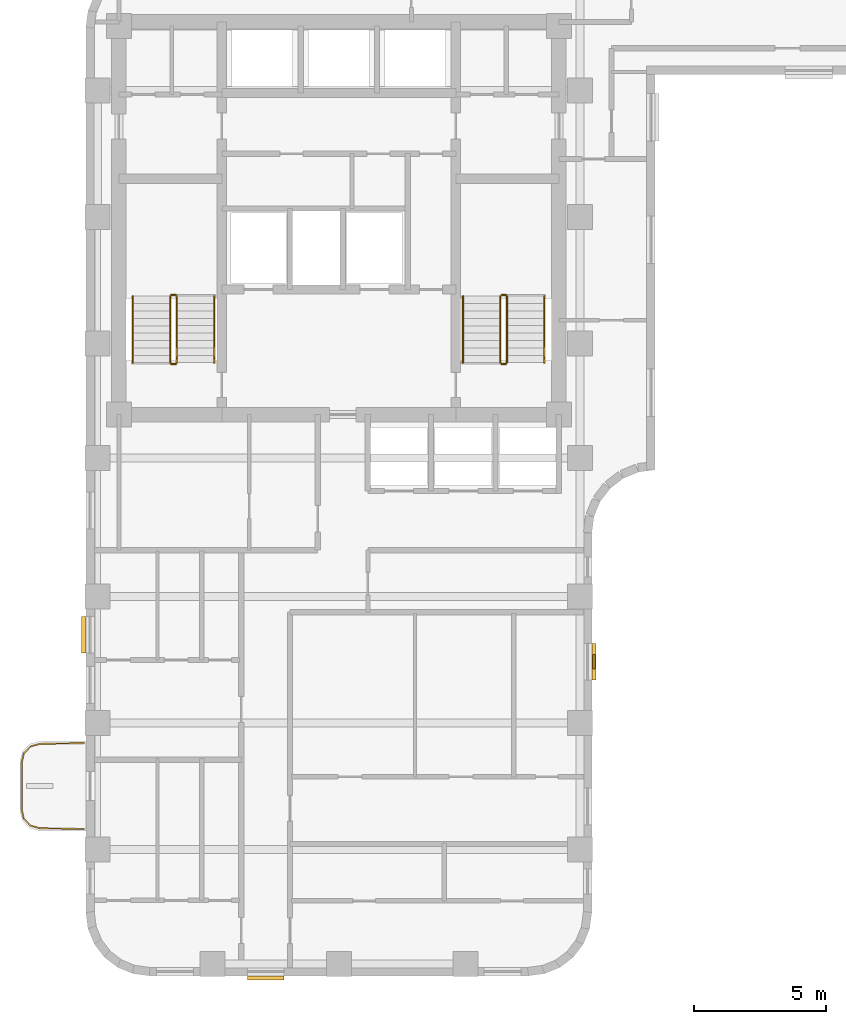
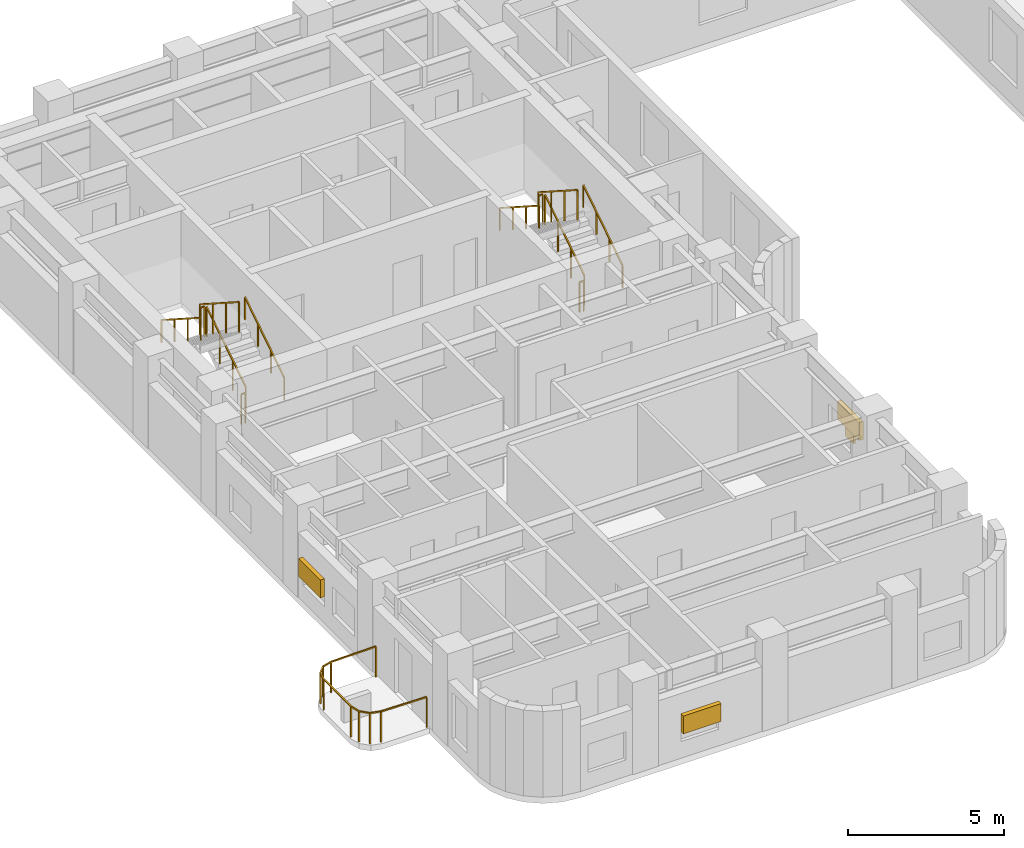
# One storey, part 8 of 10: 13 railings, 4 shading devices.
"""IFC4 building model written with IfcOpenShell, lengths in metres."""

import ifcopenshell
import ifcopenshell.guid

model = None  # the IFC model being written
_history = None  # IfcOwnerHistory: only IFC2X3 demands one
_inside = {}  # id of a spatial element -> (the spatial element, [elements in it])
_under = {}  # id of a project, library or spatial element -> (it, [spatial elements below it])
_declared = {}  # id of a project -> (the project, [libraries it declares])
_typed = {}  # id of a type object -> (the type object, [elements of that type])
_made_of = {}  # id of a material, layer set ... -> (it, [elements and type objects made of it])


def new_model(schema):
    """Start an empty IFC model of exactly this schema.

    Asked for "IFC4X3", IfcOpenShell would pick the latest addendum, in which some entities
    have other attributes; the version numbers below select the first issue.
    IFC2X3 requires an IfcOwnerHistory on every rooted entity: one is made here for all.
    """
    global model, _history
    if schema == "IFC4X3":
        model = ifcopenshell.file(schema_version=(4, 3, 0, 0))
    else:
        model = ifcopenshell.file(schema=schema)
    _inside.clear()
    _under.clear()
    _declared.clear()
    _typed.clear()
    _made_of.clear()
    _history = None
    if model.schema == "IFC2X3":
        org = make("IfcOrganization", Name="unknown")
        user = make(
            "IfcPersonAndOrganization",
            ThePerson=make("IfcPerson", FamilyName="unknown"),
            TheOrganization=org,
        )
        app = make(
            "IfcApplication",
            ApplicationDeveloper=org,
            Version="unknown",
            ApplicationFullName="unknown",
            ApplicationIdentifier="unknown",
        )
        _history = make(
            "IfcOwnerHistory",
            OwningUser=user,
            OwningApplication=app,
            ChangeAction="ADDED",
            CreationDate=0,
        )
    return model


def make(cls, **values):
    """One entity of the class cls with the attributes given. An attribute that is None is left unset."""
    return model.create_entity(
        cls, **{name: value for name, value in values.items() if value is not None}
    )


def rooted(cls, **values):
    """An entity with a GlobalId (a new one), such as an element, a storey or a relation."""
    return make(cls, GlobalId=ifcopenshell.guid.new(), OwnerHistory=_history, **values)


def si_unit(unit_type, name, prefix=None):
    """IfcSIUnit, for example si_unit("LENGTHUNIT", "METRE", prefix="MILLI")."""
    return make("IfcSIUnit", UnitType=unit_type, Prefix=prefix, Name=name)


def assignment(units):
    """IfcUnitAssignment: the units of a project."""
    return None if units is None else make("IfcUnitAssignment", Units=units)


def point(xyz):
    """IfcCartesianPoint."""
    return None if xyz is None else make("IfcCartesianPoint", Coordinates=xyz)


def direction(xyz):
    """IfcDirection."""
    return None if xyz is None else make("IfcDirection", DirectionRatios=xyz)


def frame(location, z_axis=None, x_axis=None):
    """IfcAxis2Placement3D, a coordinate frame: its origin and axes. An axis left out is left unset."""
    return make(
        "IfcAxis2Placement3D",
        Location=point(location),
        Axis=direction(z_axis),
        RefDirection=direction(x_axis),
    )


def frame_2d(location, x_axis=None):
    """IfcAxis2Placement2D, a coordinate frame in the plane: its origin and x axis."""
    return make(
        "IfcAxis2Placement2D", Location=point(location), RefDirection=direction(x_axis)
    )


def origin():
    """The frame at (0, 0, 0) with its axes left unset."""
    return frame((0.0, 0.0, 0.0))


def origin_2d():
    """The frame at (0, 0) in the plane with its x axis left unset."""
    return frame_2d((0.0, 0.0))


def place(relative_to, where):
    """IfcLocalPlacement: puts the frame where relative to a parent placement (None: the world)."""
    return make(
        "IfcLocalPlacement", PlacementRelTo=relative_to, RelativePlacement=where
    )


def context(
    kind, dimensions, precision=None, world=None, true_north=None, identifier=None
):
    """IfcGeometricRepresentationContext, for example the 3D "Model" context."""
    return make(
        "IfcGeometricRepresentationContext",
        ContextIdentifier=identifier,
        ContextType=kind,
        CoordinateSpaceDimension=dimensions,
        Precision=precision,
        WorldCoordinateSystem=world,
        TrueNorth=true_north,
    )


def subcontext(parent, identifier, kind, view, scale=None):
    """IfcGeometricRepresentationSubContext, for example "Body" below "Model"."""
    return make(
        "IfcGeometricRepresentationSubContext",
        ContextIdentifier=identifier,
        ContextType=kind,
        ParentContext=parent,
        TargetScale=scale,
        TargetView=view,
    )


def project(units=None, contexts=None):
    """IfcProject with its units and contexts."""
    return rooted(
        "IfcProject",
        Name="project",
        RepresentationContexts=contexts,
        UnitsInContext=assignment(units),
    )


def spatial(cls, under=None, at=None, **own):
    """A site, building, storey or space (cls), placed at a placement, below another one or the project."""
    s = rooted(cls, ObjectPlacement=at, **own)
    if under is not None:
        _under.setdefault(under.id(), (under, []))[1].append(s)
    return s


def profile(cls, at=None, kind="AREA", **sizes):
    """A parametric profile (cls). Its sizes go by their IFC names, for example OverallWidth=200.0."""
    return make(cls, ProfileType=kind, Position=at, **sizes)


def rectangle(**sizes):
    """IfcRectangleProfileDef."""
    return profile("IfcRectangleProfileDef", **sizes)


def extrude(swept, where, along, depth):
    """IfcExtrudedAreaSolid: the profile swept, set in the frame where, extruded along a direction by depth."""
    return make(
        "IfcExtrudedAreaSolid",
        SweptArea=swept,
        Position=where,
        ExtrudedDirection=direction(along),
        Depth=depth,
    )


def shape(context_of_items, identifier, shape_type, items):
    """IfcShapeRepresentation: the items that make up one representation, for example the "Body"."""
    return make(
        "IfcShapeRepresentation",
        ContextOfItems=context_of_items,
        RepresentationIdentifier=identifier,
        RepresentationType=shape_type,
        Items=items,
    )


def material(Name=None, Category=None):
    """IfcMaterial."""
    return make("IfcMaterial", Name=Name, Category=Category)


def made_of(thing, what):
    """Note that an element or type object is made of a material, layer set ...; save() writes the relation."""
    if what is not None:
        _made_of.setdefault(what.id(), (what, []))[1].append(thing)
    return thing


def type_object(cls, material=None, **own):
    """A type object (cls), such as IfcWallType, which elements share."""
    return made_of(rooted(cls, **own), material)


def element(
    cls,
    number,
    at=None,
    inside=None,
    cuts=None,
    type_object=None,
    material=None,
    context=None,
    identifier="Body",
    shape_type=None,
    held_by="IfcProductDefinitionShape",
    body=None,
    shapes=None,
    **own,
):
    """One element of the class cls, such as IfcWall. Its Tag is "e" and its number.

    at: its placement. inside: the storey or other place that contains it. cuts: it is an
    opening in that element (IfcRelVoidsElement). A single representation is given by context,
    identifier, shape_type and body (its items); several are given by shapes. held_by: the class
    of the entity that holds the representations. save() writes the other relations.
    """
    e = rooted(cls, Tag="e%d" % number, ObjectPlacement=at, **own)
    if body is not None:
        shapes = [shape(context, identifier, shape_type, body)]
    if shapes is not None:
        e.Representation = make(held_by, Representations=shapes)
    if inside is not None:
        _inside.setdefault(inside.id(), (inside, []))[1].append(e)
    if cuts is not None:
        rooted(
            "IfcRelVoidsElement", RelatingBuildingElement=cuts, RelatedOpeningElement=e
        )
    if type_object is not None:
        _typed.setdefault(type_object.id(), (type_object, []))[1].append(e)
    return made_of(e, material)


def aggregate(whole, parts):
    """IfcRelAggregates: a whole, such as a stair, and the parts it consists of."""
    return rooted("IfcRelAggregates", RelatingObject=whole, RelatedObjects=parts)


def save(model, path):
    """Write the relations noted so far, then the file.

    IfcRelAggregates (storeys below a building ...), IfcRelContainedInSpatialStructure (elements
    in a storey), IfcRelDefinesByType, IfcRelAssociatesMaterial and IfcRelDeclares: one each for
    every whole, place, type object, material and project.
    """
    for whole, parts in _under.values():
        aggregate(whole, parts)
    for where, things in _inside.values():
        rooted(
            "IfcRelContainedInSpatialStructure",
            RelatedElements=things,
            RelatingStructure=where,
        )
    for kind, things in _typed.values():
        rooted("IfcRelDefinesByType", RelatedObjects=things, RelatingType=kind)
    for what, things in _made_of.values():
        rooted("IfcRelAssociatesMaterial", RelatedObjects=things, RelatingMaterial=what)
    for by, libraries in _declared.values():
        rooted("IfcRelDeclares", RelatingContext=by, RelatedDefinitions=libraries)
    model.write(path)


model = new_model("IFC4")

# Units and contexts
model_context = context("Model", 3, precision=1e-05, world=origin(), true_north=direction((0.0, 1.0)))
body_context = subcontext(model_context, "Body", "Model", "MODEL_VIEW")
ifc_project = project(units=[si_unit("LENGTHUNIT", "METRE"), si_unit("AREAUNIT", "SQUARE_METRE"), si_unit("VOLUMEUNIT", "CUBIC_METRE"), si_unit("PLANEANGLEUNIT", "RADIAN"), si_unit("MASSUNIT", "GRAM", prefix="KILO")], contexts=[model_context])

# Site, building, storey
site_placement = place(None, origin())
site = spatial("IfcSite", under=ifc_project, at=site_placement, CompositionType="ELEMENT")
building_placement = place(site_placement, origin())
building = spatial("IfcBuilding", under=site, at=building_placement, Name="Orvandelia Arch Residences", CompositionType="ELEMENT")
storey_placement = place(building_placement, frame((0.0, 0.0, 179.199951171875)))
storey = spatial("IfcBuildingStorey", under=building, at=storey_placement, Name="L47", CompositionType="ELEMENT", Elevation=179.199951171875)

# Railings
ifc_material_1 = material(Name="Marine-Grade Stainless Steel 316", Category="steel")
railing_type_1 = type_object("IfcRailingType", Name="GRD-BAL-1200", PredefinedType="BALUSTRADE", material=ifc_material_1)
railing_1_placement = place(storey_placement, frame((4.728271484375, 18.430419921875, 0.0)))
element("IfcRailing", 1, at=railing_1_placement, inside=storey, type_object=railing_type_1, Name="Safety Balustrade Guard GRD-L47-BAL-L47-W1-1", PredefinedType="BALUSTRADE", context=body_context, shape_type="SweptSolid", body=[
    extrude(rectangle(XDim=0.048095703125, YDim=0.048095703125, at=origin_2d()), frame((0.0, 0.0, 1.19580078125), z_axis=(-0.999834751713, -0.018178813668, 0.0), x_axis=(0.018178813668, -0.999834751713, 0.0)), (0.0, 0.0, 1.0), 1.6787109375),
    extrude(rectangle(XDim=0.048095703125, YDim=0.048095703125, at=origin_2d()), frame((-1.678466796875, -0.030517578125, 1.19580078125), z_axis=(-0.96348920644, -0.267747173792, 0.0), x_axis=(0.267747173792, -0.96348920644, 0.0)), (0.0, 0.0, 1.0), 0.36572265625),
    extrude(rectangle(XDim=0.048095703125, YDim=0.048095703125, at=origin_2d()), frame((-2.03076171875, -0.12841796875, 1.19580078125), z_axis=(-0.688627404251, -0.725115368831, 0.0), x_axis=(0.725115368831, -0.688627404251, 0.0)), (0.0, 0.0, 1.0), 0.367919921875),
    extrude(rectangle(XDim=0.048095703125, YDim=0.048095703125, at=origin_2d()), frame((-2.2841796875, -0.395263671875, 1.19580078125), z_axis=(-0.220602419982, -0.975363815352, 0.0), x_axis=(0.975363815352, -0.220602419982, 0.0)), (0.0, 0.0, 1.0), 0.373046875),
    extrude(rectangle(XDim=0.048095703125, YDim=0.048095703125, at=origin_2d()), frame((-2.366455078125, -0.759033203125, 1.19580078125), z_axis=(0.0, -1.0, 0.0), x_axis=(1.0, 0.0, 0.0)), (0.0, 0.0, 1.0), 1.74267578125),
    extrude(rectangle(XDim=0.048095703125, YDim=0.048095703125, at=origin_2d()), frame((-2.366455078125, -2.501708984375, 1.19580078125), z_axis=(0.220602419982, -0.975363815352, 0.0), x_axis=(0.975363815352, 0.220602419982, 0.0)), (0.0, 0.0, 1.0), 0.373046875),
    extrude(rectangle(XDim=0.048095703125, YDim=0.048095703125, at=origin_2d()), frame((-2.2841796875, -2.865478515625, 1.19580078125), z_axis=(0.688296224633, -0.725429739642, 0.0), x_axis=(0.725429739642, 0.688296224633, 0.0)), (0.0, 0.0, 1.0), 0.3681640625),
    extrude(rectangle(XDim=0.048095703125, YDim=0.048095703125, at=origin_2d()), frame((-2.03076171875, -3.132568359375, 1.19580078125), z_axis=(0.96348920644, -0.267747173792, 0.0), x_axis=(0.267747173792, 0.96348920644, 0.0)), (0.0, 0.0, 1.0), 0.36572265625),
    extrude(rectangle(XDim=0.048095703125, YDim=0.048095703125, at=origin_2d()), frame((-1.678466796875, -3.23046875, 1.19580078125), z_axis=(0.999837384468, -0.018033430643, 0.0), x_axis=(0.018033430643, 0.999837384468, 0.0)), (0.0, 0.0, 1.0), 1.6787109375),
    extrude(rectangle(XDim=0.0419921875, YDim=0.0419921875, at=origin_2d()), origin(), (0.0, 0.0, 1.0), 1.171875),
    extrude(rectangle(XDim=0.0419921875, YDim=0.0419921875, at=origin_2d()), frame((-1.678466796875, -0.030517578125, 0.0)), (0.0, 0.0, 1.0), 1.171875),
    extrude(rectangle(XDim=0.0419921875, YDim=0.0419921875, at=origin_2d()), frame((-2.03076171875, -0.12841796875, 0.0)), (0.0, 0.0, 1.0), 1.171875),
    extrude(rectangle(XDim=0.0419921875, YDim=0.0419921875, at=origin_2d()), frame((-2.2841796875, -0.395263671875, 0.0)), (0.0, 0.0, 1.0), 1.171875),
    extrude(rectangle(XDim=0.0419921875, YDim=0.0419921875, at=origin_2d()), frame((-2.366455078125, -0.759033203125, 0.0)), (0.0, 0.0, 1.0), 1.171875),
    extrude(rectangle(XDim=0.0419921875, YDim=0.0419921875, at=origin_2d()), frame((-2.366455078125, -2.501708984375, 0.0)), (0.0, 0.0, 1.0), 1.171875),
    extrude(rectangle(XDim=0.0419921875, YDim=0.0419921875, at=origin_2d()), frame((-2.2841796875, -2.865478515625, 0.0)), (0.0, 0.0, 1.0), 1.171875),
    extrude(rectangle(XDim=0.0419921875, YDim=0.0419921875, at=origin_2d()), frame((-2.03076171875, -3.132568359375, 0.0)), (0.0, 0.0, 1.0), 1.171875),
    extrude(rectangle(XDim=0.0419921875, YDim=0.0419921875, at=origin_2d()), frame((-1.678466796875, -3.23046875, 0.0)), (0.0, 0.0, 1.0), 1.171875),
    extrude(rectangle(XDim=0.0419921875, YDim=0.0419921875, at=origin_2d()), frame((0.0, -3.2607421875, 0.0)), (0.0, 0.0, 1.0), 1.171875),
])
ifc_material_2 = material(Name="Brushed Stainless Steel 304", Category="steel")
railing_type_2 = type_object("IfcRailingType", Name="RL-STAIR-GD1120", PredefinedType="GUARDRAIL", material=ifc_material_2)
railing_2_placement = place(storey_placement, frame((8.25, 32.8701171875, 0.179931640625)))
element("IfcRailing", 2, at=railing_2_placement, inside=storey, type_object=railing_type_2, Name="L47 ST-1 stair guard 1", PredefinedType="GUARDRAIL", context=body_context, shape_type="SweptSolid", body=[
    extrude(rectangle(XDim=0.048095703125, YDim=0.048095703125, at=origin_2d()), frame((0.0, 0.0, 1.17578125), z_axis=(0.0, 0.841138753965, 0.540819375188), x_axis=(-1.0, 0.0, 0.0)), (0.0, 0.0, 1.0), 2.99560546875),
    extrude(rectangle(XDim=0.0419921875, YDim=0.0419921875, at=origin_2d()), origin(), (0.0, 0.0, 1.0), 1.15185546875),
    extrude(rectangle(XDim=0.0419921875, YDim=0.0419921875, at=origin_2d()), frame((0.0, 0.83984375, 0.5400390625)), (0.0, 0.0, 1.0), 1.15185546875),
    extrude(rectangle(XDim=0.0419921875, YDim=0.0419921875, at=origin_2d()), frame((0.0, 1.679931640625, 1.080078125)), (0.0, 0.0, 1.0), 1.15185546875),
    extrude(rectangle(XDim=0.0419921875, YDim=0.0419921875, at=origin_2d()), frame((0.0, 2.519775390625, 1.6201171875)), (0.0, 0.0, 1.0), 1.15185546875),
])
railing_3_placement = place(storey_placement, frame((8.199951171875, 35.43994140625, 1.800048828125)))
element("IfcRailing", 3, at=railing_3_placement, inside=storey, type_object=railing_type_2, Name="L47 ST-1 stair guard 2", PredefinedType="GUARDRAIL", context=body_context, shape_type="SweptSolid", body=[
    extrude(rectangle(XDim=0.048095703125, YDim=0.048095703125, at=origin_2d()), frame((0.0, 0.0, 1.17578125), z_axis=(-1.0, 0.0, 0.0), x_axis=(0.0, -1.0, 0.0)), (0.0, 0.0, 1.0), 0.14990234375),
    extrude(rectangle(XDim=0.0419921875, YDim=0.0419921875, at=origin_2d()), origin(), (0.0, 0.0, 1.0), 1.15185546875),
    extrude(rectangle(XDim=0.0419921875, YDim=0.0419921875, at=origin_2d()), frame((-0.14990234375, 0.0, 0.0)), (0.0, 0.0, 1.0), 1.15185546875),
])
railing_4_placement = place(storey_placement, frame((8.0, 35.389892578125, 1.97998046875)))
element("IfcRailing", 4, at=railing_4_placement, inside=storey, type_object=railing_type_2, Name="L47 ST-1 stair guard 3", PredefinedType="GUARDRAIL", context=body_context, shape_type="SweptSolid", body=[
    extrude(rectangle(XDim=0.048095703125, YDim=0.048095703125, at=origin_2d()), frame((0.0, 0.0, 1.17578125), z_axis=(0.0, -0.841138753965, 0.540819375188), x_axis=(1.0, 0.0, 0.0)), (0.0, 0.0, 1.0), 2.99560546875),
    extrude(rectangle(XDim=0.0419921875, YDim=0.0419921875, at=origin_2d()), origin(), (0.0, 0.0, 1.0), 1.15185546875),
    extrude(rectangle(XDim=0.0419921875, YDim=0.0419921875, at=origin_2d()), frame((0.0, -0.83984375, 0.5400390625)), (0.0, 0.0, 1.0), 1.15185546875),
    extrude(rectangle(XDim=0.0419921875, YDim=0.0419921875, at=origin_2d()), frame((0.0, -1.679931640625, 1.080078125)), (0.0, 0.0, 1.0), 1.15185546875),
    extrude(rectangle(XDim=0.0419921875, YDim=0.0419921875, at=origin_2d()), frame((0.0, -2.519775390625, 1.6201171875)), (0.0, 0.0, 1.0), 1.15185546875),
])
railing_5_placement = place(storey_placement, frame((8.199951171875, 32.820068359375, 0.0)))
element("IfcRailing", 5, at=railing_5_placement, inside=storey, type_object=railing_type_2, Name="L47 ST-1 stair guard 4", PredefinedType="GUARDRAIL", context=body_context, shape_type="SweptSolid", body=[
    extrude(rectangle(XDim=0.048095703125, YDim=0.048095703125, at=origin_2d()), frame((0.0, 0.0, 1.17578125), z_axis=(-1.0, 0.0, 0.0), x_axis=(0.0, -1.0, 0.0)), (0.0, 0.0, 1.0), 0.14990234375),
    extrude(rectangle(XDim=0.0419921875, YDim=0.0419921875, at=origin_2d()), origin(), (0.0, 0.0, 1.0), 1.15185546875),
    extrude(rectangle(XDim=0.0419921875, YDim=0.0419921875, at=origin_2d()), frame((-0.14990234375, 0.0, 0.0)), (0.0, 0.0, 1.0), 1.15185546875),
])
railing_6_placement = place(storey_placement, frame((20.780029296875, 32.8701171875, 0.179931640625)))
element("IfcRailing", 6, at=railing_6_placement, inside=storey, type_object=railing_type_2, Name="L47 ST-2 stair guard 1", PredefinedType="GUARDRAIL", context=body_context, shape_type="SweptSolid", body=[
    extrude(rectangle(XDim=0.048095703125, YDim=0.048095703125, at=origin_2d()), frame((0.0, 0.0, 1.17578125), z_axis=(0.0, 0.841138753965, 0.540819375188), x_axis=(-1.0, 0.0, 0.0)), (0.0, 0.0, 1.0), 2.99560546875),
    extrude(rectangle(XDim=0.0419921875, YDim=0.0419921875, at=origin_2d()), origin(), (0.0, 0.0, 1.0), 1.15185546875),
    extrude(rectangle(XDim=0.0419921875, YDim=0.0419921875, at=origin_2d()), frame((0.0, 0.83984375, 0.5400390625)), (0.0, 0.0, 1.0), 1.15185546875),
    extrude(rectangle(XDim=0.0419921875, YDim=0.0419921875, at=origin_2d()), frame((0.0, 1.679931640625, 1.080078125)), (0.0, 0.0, 1.0), 1.15185546875),
    extrude(rectangle(XDim=0.0419921875, YDim=0.0419921875, at=origin_2d()), frame((0.0, 2.519775390625, 1.6201171875)), (0.0, 0.0, 1.0), 1.15185546875),
])
railing_7_placement = place(storey_placement, frame((20.72998046875, 35.43994140625, 1.800048828125)))
element("IfcRailing", 7, at=railing_7_placement, inside=storey, type_object=railing_type_2, Name="L47 ST-2 stair guard 2", PredefinedType="GUARDRAIL", context=body_context, shape_type="SweptSolid", body=[
    extrude(rectangle(XDim=0.048095703125, YDim=0.048095703125, at=origin_2d()), frame((0.0, 0.0, 1.17578125), z_axis=(-1.0, 0.0, 0.0), x_axis=(0.0, -1.0, 0.0)), (0.0, 0.0, 1.0), 0.14990234375),
    extrude(rectangle(XDim=0.0419921875, YDim=0.0419921875, at=origin_2d()), origin(), (0.0, 0.0, 1.0), 1.15185546875),
    extrude(rectangle(XDim=0.0419921875, YDim=0.0419921875, at=origin_2d()), frame((-0.14990234375, 0.0, 0.0)), (0.0, 0.0, 1.0), 1.15185546875),
])
railing_8_placement = place(storey_placement, frame((20.530029296875, 35.389892578125, 1.97998046875)))
element("IfcRailing", 8, at=railing_8_placement, inside=storey, type_object=railing_type_2, Name="L47 ST-2 stair guard 3", PredefinedType="GUARDRAIL", context=body_context, shape_type="SweptSolid", body=[
    extrude(rectangle(XDim=0.048095703125, YDim=0.048095703125, at=origin_2d()), frame((0.0, 0.0, 1.17578125), z_axis=(0.0, -0.841138753965, 0.540819375188), x_axis=(1.0, 0.0, 0.0)), (0.0, 0.0, 1.0), 2.99560546875),
    extrude(rectangle(XDim=0.0419921875, YDim=0.0419921875, at=origin_2d()), origin(), (0.0, 0.0, 1.0), 1.15185546875),
    extrude(rectangle(XDim=0.0419921875, YDim=0.0419921875, at=origin_2d()), frame((0.0, -0.83984375, 0.5400390625)), (0.0, 0.0, 1.0), 1.15185546875),
    extrude(rectangle(XDim=0.0419921875, YDim=0.0419921875, at=origin_2d()), frame((0.0, -1.679931640625, 1.080078125)), (0.0, 0.0, 1.0), 1.15185546875),
    extrude(rectangle(XDim=0.0419921875, YDim=0.0419921875, at=origin_2d()), frame((0.0, -2.519775390625, 1.6201171875)), (0.0, 0.0, 1.0), 1.15185546875),
])
railing_9_placement = place(storey_placement, frame((20.72998046875, 32.820068359375, 0.0)))
element("IfcRailing", 9, at=railing_9_placement, inside=storey, type_object=railing_type_2, Name="L47 ST-2 stair guard 4", PredefinedType="GUARDRAIL", context=body_context, shape_type="SweptSolid", body=[
    extrude(rectangle(XDim=0.048095703125, YDim=0.048095703125, at=origin_2d()), frame((0.0, 0.0, 1.17578125), z_axis=(-1.0, 0.0, 0.0), x_axis=(0.0, -1.0, 0.0)), (0.0, 0.0, 1.0), 0.14990234375),
    extrude(rectangle(XDim=0.0419921875, YDim=0.0419921875, at=origin_2d()), origin(), (0.0, 0.0, 1.0), 1.15185546875),
    extrude(rectangle(XDim=0.0419921875, YDim=0.0419921875, at=origin_2d()), frame((-0.14990234375, 0.0, 0.0)), (0.0, 0.0, 1.0), 1.15185546875),
])
railing_type_3 = type_object("IfcRailingType", Name="RL-STAIR-HR920", PredefinedType="HANDRAIL", material=ifc_material_2)
railing_10_placement = place(storey_placement, frame((9.669921875, 32.8701171875, 0.360107421875)))
element("IfcRailing", 10, at=railing_10_placement, inside=storey, type_object=railing_type_3, Name="L47 ST-1 stair handrail 1", PredefinedType="HANDRAIL", context=body_context, shape_type="SweptSolid", body=[
    extrude(rectangle(XDim=0.048095703125, YDim=0.048095703125, at=origin_2d()), frame((0.0, 0.0, 0.8759765625), z_axis=(0.0, 0.841175827307, 0.540761710511), x_axis=(-1.0, 0.0, 0.0)), (0.0, 0.0, 1.0), 2.99560546875),
    extrude(rectangle(XDim=0.0419921875, YDim=0.0419921875, at=origin_2d()), origin(), (0.0, 0.0, 1.0), 0.851806640625),
    extrude(rectangle(XDim=0.0419921875, YDim=0.0419921875, at=origin_2d()), frame((0.0, 0.83984375, 0.5400390625)), (0.0, 0.0, 1.0), 0.851806640625),
    extrude(rectangle(XDim=0.0419921875, YDim=0.0419921875, at=origin_2d()), frame((0.0, 1.679931640625, 1.079833984375)), (0.0, 0.0, 1.0), 0.851806640625),
    extrude(rectangle(XDim=0.0419921875, YDim=0.0419921875, at=origin_2d()), frame((0.0, 2.519775390625, 1.619873046875)), (0.0, 0.0, 1.0), 0.851806640625),
])
railing_11_placement = place(storey_placement, frame((6.580078125, 35.389892578125, 2.16015625)))
element("IfcRailing", 11, at=railing_11_placement, inside=storey, type_object=railing_type_3, Name="L47 ST-1 stair handrail 2", PredefinedType="HANDRAIL", context=body_context, shape_type="SweptSolid", body=[
    extrude(rectangle(XDim=0.048095703125, YDim=0.048095703125, at=origin_2d()), frame((0.0, 0.0, 0.8759765625), z_axis=(0.0, -0.841175827307, 0.540761710511), x_axis=(1.0, 0.0, 0.0)), (0.0, 0.0, 1.0), 2.99560546875),
    extrude(rectangle(XDim=0.0419921875, YDim=0.0419921875, at=origin_2d()), origin(), (0.0, 0.0, 1.0), 0.851806640625),
    extrude(rectangle(XDim=0.0419921875, YDim=0.0419921875, at=origin_2d()), frame((0.0, -0.83984375, 0.5400390625)), (0.0, 0.0, 1.0), 0.851806640625),
    extrude(rectangle(XDim=0.0419921875, YDim=0.0419921875, at=origin_2d()), frame((0.0, -1.679931640625, 1.079833984375)), (0.0, 0.0, 1.0), 0.851806640625),
    extrude(rectangle(XDim=0.0419921875, YDim=0.0419921875, at=origin_2d()), frame((0.0, -2.519775390625, 1.619873046875)), (0.0, 0.0, 1.0), 0.851806640625),
])
railing_12_placement = place(storey_placement, frame((22.199951171875, 32.8701171875, 0.360107421875)))
element("IfcRailing", 12, at=railing_12_placement, inside=storey, type_object=railing_type_3, Name="L47 ST-2 stair handrail 1", PredefinedType="HANDRAIL", context=body_context, shape_type="SweptSolid", body=[
    extrude(rectangle(XDim=0.048095703125, YDim=0.048095703125, at=origin_2d()), frame((0.0, 0.0, 0.8759765625), z_axis=(0.0, 0.841175827307, 0.540761710511), x_axis=(-1.0, 0.0, 0.0)), (0.0, 0.0, 1.0), 2.99560546875),
    extrude(rectangle(XDim=0.0419921875, YDim=0.0419921875, at=origin_2d()), origin(), (0.0, 0.0, 1.0), 0.851806640625),
    extrude(rectangle(XDim=0.0419921875, YDim=0.0419921875, at=origin_2d()), frame((0.0, 0.83984375, 0.5400390625)), (0.0, 0.0, 1.0), 0.851806640625),
    extrude(rectangle(XDim=0.0419921875, YDim=0.0419921875, at=origin_2d()), frame((0.0, 1.679931640625, 1.079833984375)), (0.0, 0.0, 1.0), 0.851806640625),
    extrude(rectangle(XDim=0.0419921875, YDim=0.0419921875, at=origin_2d()), frame((0.0, 2.519775390625, 1.619873046875)), (0.0, 0.0, 1.0), 0.851806640625),
])
railing_13_placement = place(storey_placement, frame((19.110107421875, 35.389892578125, 2.16015625)))
element("IfcRailing", 13, at=railing_13_placement, inside=storey, type_object=railing_type_3, Name="L47 ST-2 stair handrail 2", PredefinedType="HANDRAIL", context=body_context, shape_type="SweptSolid", body=[
    extrude(rectangle(XDim=0.048095703125, YDim=0.048095703125, at=origin_2d()), frame((0.0, 0.0, 0.8759765625), z_axis=(0.0, -0.841175827307, 0.540761710511), x_axis=(1.0, 0.0, 0.0)), (0.0, 0.0, 1.0), 2.99560546875),
    extrude(rectangle(XDim=0.0419921875, YDim=0.0419921875, at=origin_2d()), origin(), (0.0, 0.0, 1.0), 0.851806640625),
    extrude(rectangle(XDim=0.0419921875, YDim=0.0419921875, at=origin_2d()), frame((0.0, -0.83984375, 0.5400390625)), (0.0, 0.0, 1.0), 0.851806640625),
    extrude(rectangle(XDim=0.0419921875, YDim=0.0419921875, at=origin_2d()), frame((0.0, -1.679931640625, 1.079833984375)), (0.0, 0.0, 1.0), 0.851806640625),
    extrude(rectangle(XDim=0.0419921875, YDim=0.0419921875, at=origin_2d()), frame((0.0, -2.519775390625, 1.619873046875)), (0.0, 0.0, 1.0), 0.851806640625),
])

# Shading devices
ifc_material_3 = material(Name="Anodised Champagne-Bronze Extruded Aluminium", Category="aluminium")
shading_device_type_1 = type_object("IfcShadingDeviceType", Name="SHD-JALOUSIE-SCREEN", PredefinedType="JALOUSIE", material=ifc_material_3)
for number, where, z_axis, x_axis, name in (
    (14, (24.080078125, 21.517578125, 1.05029296875), (0.0, 0.0, 1.0), (0.0, -1.0, 0.0), "Bronze Jalousie Sun-Shade L47-006"),
    (15, (11.625, 9.52001953125, 1.05029296875), (0.0, 0.0, 1.0), (-1.0, 0.0, 0.0), "Bronze Jalousie Sun-Shade L47-007"),
    (16, (4.719970703125, 22.54443359375, 1.05029296875), (0.0, 0.0, 1.0), (0.0, 1.0, 0.0), "Bronze Jalousie Sun-Shade L47-008"),
):
    element("IfcShadingDevice", number, at=place(storey_placement, frame(where, z_axis=z_axis, x_axis=x_axis)), inside=storey, type_object=shading_device_type_1, Name=name, PredefinedType="JALOUSIE", context=body_context, shape_type="SweptSolid", body=[
        extrude(rectangle(XDim=1.39990234375, YDim=0.159912109375, at=origin_2d()), origin(), (0.0, 0.0, 1.0), 0.699951171875),
    ])
ifc_material_4 = material(Name="Marine-Grade Perforated Aluminium Storm Shutter", Category="aluminium")
shading_device_type_2 = type_object("IfcShadingDeviceType", Name="SHD-STORM-SHUTTER", PredefinedType="SHUTTER", material=ifc_material_4)
shading_device_placement = place(storey_placement, frame((24.080078125, 21.517578125, 0.64990234375), z_axis=(0.0, 0.0, 1.0), x_axis=(0.0, -1.0, 0.0)))
element("IfcShadingDevice", 17, at=shading_device_placement, inside=storey, type_object=shading_device_type_2, Name="Operable Typhoon Storm Shutter L47-006", PredefinedType="SHUTTER", context=body_context, shape_type="SweptSolid", body=[
    extrude(rectangle(XDim=0.550048828125, YDim=0.080078125, at=origin_2d()), origin(), (0.0, 0.0, 1.0), 1.10009765625),
])

save(model, "model.ifc")
